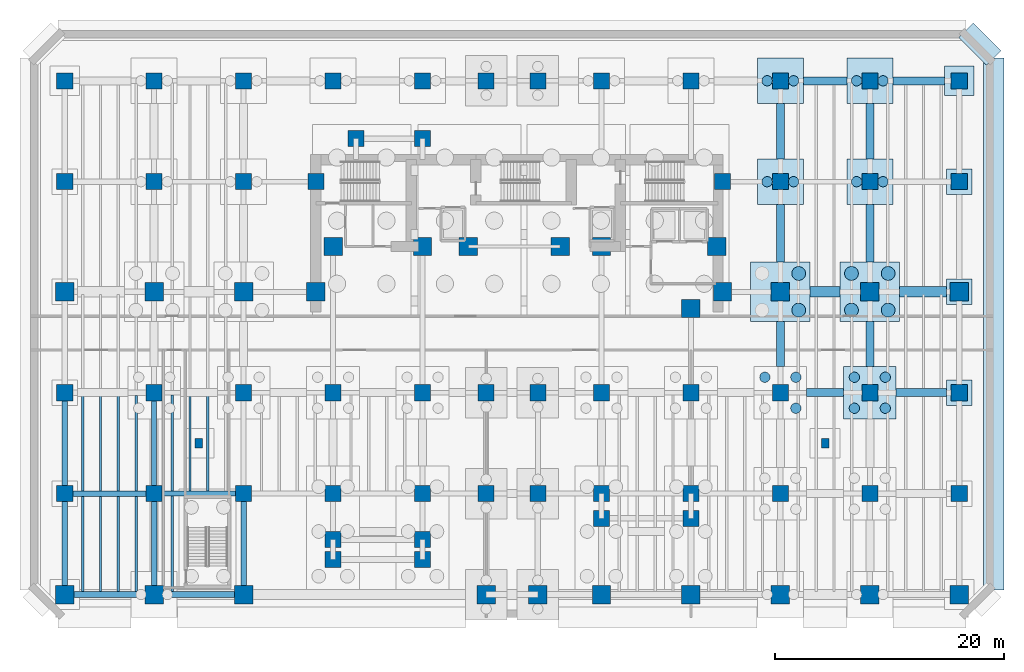
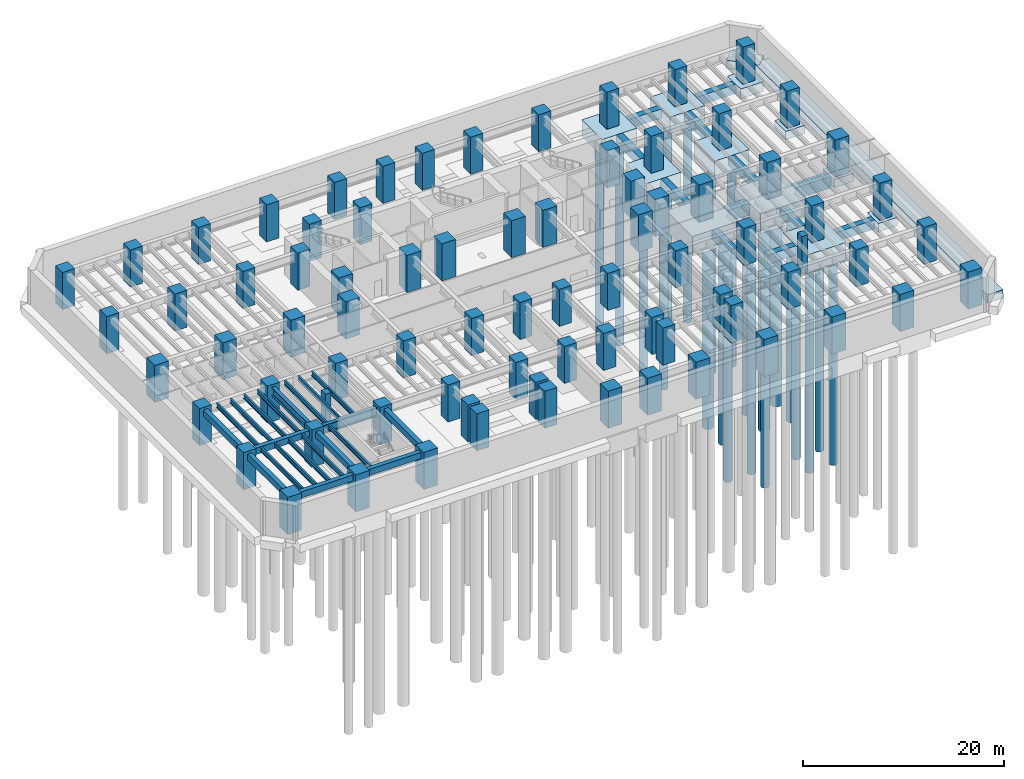
# One storey, part 3 of 13: 79 columns, 25 footings, 21 beams, 21 piles.
"""IFC4 building model written with IfcOpenShell, lengths in metres."""

from ifc_helpers import new_model, si_unit, direction, frame, origin, origin_2d, place, context, subcontext, project, spatial, rectangle, circle, i_section, extrude, material, material_profile, profile_set, type_object, element, save


model = new_model("IFC4")

# Units and contexts
model_context = context("Model", 3, precision=1e-05, world=origin(), true_north=direction((0.0, 1.0)))
body_context = subcontext(model_context, "Body", "Model", "MODEL_VIEW")
ifc_project = project(units=[si_unit("LENGTHUNIT", "METRE"), si_unit("AREAUNIT", "SQUARE_METRE"), si_unit("VOLUMEUNIT", "CUBIC_METRE"), si_unit("PLANEANGLEUNIT", "RADIAN"), si_unit("MASSUNIT", "GRAM", prefix="KILO")], contexts=[model_context])

# Site, building, storey
site_placement = place(None, origin())
site = spatial("IfcSite", under=ifc_project, at=site_placement, CompositionType="ELEMENT")
building_placement = place(site_placement, origin())
building = spatial("IfcBuilding", under=site, at=building_placement, Name="Kestravale Grand Hotel", CompositionType="ELEMENT")
storey_placement = place(building_placement, frame((0.0, 0.0, -9.0)))
storey = spatial("IfcBuildingStorey", under=building, at=storey_placement, Name="B2", CompositionType="ELEMENT", Elevation=-9.0)

# Footings
ifc_material_1 = material(Name="Concrete f'c 45 MPa", Category="concrete")
ifc_material_profile_1 = material_profile(ifc_material_1, rectangle(XDim=0.89990234375, YDim=1.39990234375, at=origin_2d()))
ifc_profile_set_1 = profile_set([ifc_material_profile_1], Name="Concrete f'c 45 MPa")
footing_type_1 = type_object("IfcFootingType", Name="FB-TIE-1", PredefinedType="FOOTING_BEAM", material=ifc_profile_set_1)
footing_1_placement = place(storey_placement, frame((65.0, 28.800048828125, -0.699951171875), z_axis=(1.0, 0.0, 0.0), x_axis=(0.0, 1.0, 0.0)))
element("IfcFooting", 1, at=footing_1_placement, inside=storey, type_object=footing_type_1, Name="Foundation tie beam E:10-11", PredefinedType="FOOTING_BEAM", context=body_context, shape_type="SweptSolid", body=[
    extrude(rectangle(XDim=0.89990234375, YDim=1.39990234375, at=origin_2d()), origin(), (0.0, 0.0, 1.0), 2.60009765625),
])
footing_2_placement = place(storey_placement, frame((72.800048828125, 28.800048828125, -0.699951171875), z_axis=(1.0, 0.0, 0.0), x_axis=(0.0, 1.0, 0.0)))
element("IfcFooting", 2, at=footing_2_placement, inside=storey, type_object=footing_type_1, Name="Foundation tie beam E:11-12", PredefinedType="FOOTING_BEAM", context=body_context, shape_type="SweptSolid", body=[
    extrude(rectangle(XDim=0.89990234375, YDim=1.39990234375, at=origin_2d()), origin(), (0.0, 0.0, 1.0), 4.099853515625),
])
ifc_material_2 = material(Name="Concrete f'c 40 MPa", Category="concrete")
ifc_material_profile_2 = material_profile(ifc_material_2, rectangle(XDim=0.699951171875, YDim=1.10009765625, at=origin_2d()))
ifc_profile_set_2 = profile_set([ifc_material_profile_2], Name="Concrete f'c 40 MPa")
footing_type_2 = type_object("IfcFootingType", Name="FB-TIE-2", PredefinedType="FOOTING_BEAM", material=ifc_profile_set_2)
footing_3_placement = place(storey_placement, frame((64.699951171875, 20.0, -0.550048828125), z_axis=(1.0, 0.0, 0.0), x_axis=(0.0, 1.0, 0.0)))
element("IfcFooting", 3, at=footing_3_placement, inside=storey, type_object=footing_type_2, Name="Foundation tie beam D:10-11", PredefinedType="FOOTING_BEAM", context=body_context, shape_type="SweptSolid", body=[
    extrude(rectangle(XDim=0.699951171875, YDim=1.10009765625, at=origin_2d()), origin(), (0.0, 0.0, 1.0), 3.199951171875),
])
footing_4_placement = place(storey_placement, frame((72.5, 20.0, -0.550048828125), z_axis=(1.0, 0.0, 0.0), x_axis=(0.0, 1.0, 0.0)))
element("IfcFooting", 4, at=footing_4_placement, inside=storey, type_object=footing_type_2, Name="Foundation tie beam D:11-12", PredefinedType="FOOTING_BEAM", context=body_context, shape_type="SweptSolid", body=[
    extrude(rectangle(XDim=0.699951171875, YDim=1.10009765625, at=origin_2d()), origin(), (0.0, 0.0, 1.0), 4.39990234375),
])
footing_5_placement = place(storey_placement, frame((64.39990234375, 47.199951171875, -0.550048828125), z_axis=(1.0, 0.0, 0.0), x_axis=(0.0, 1.0, 0.0)))
element("IfcFooting", 5, at=footing_5_placement, inside=storey, type_object=footing_type_2, Name="Foundation tie beam G:10-11", PredefinedType="FOOTING_BEAM", context=body_context, shape_type="SweptSolid", body=[
    extrude(rectangle(XDim=0.699951171875, YDim=1.10009765625, at=origin_2d()), origin(), (0.0, 0.0, 1.0), 3.800048828125),
])
footing_6_placement = place(storey_placement, frame((72.199951171875, 47.199951171875, -0.550048828125), z_axis=(1.0, 0.0, 0.0), x_axis=(0.0, 1.0, 0.0)))
element("IfcFooting", 6, at=footing_6_placement, inside=storey, type_object=footing_type_2, Name="Foundation tie beam G:11-12", PredefinedType="FOOTING_BEAM", context=body_context, shape_type="SweptSolid", body=[
    extrude(rectangle(XDim=0.699951171875, YDim=1.10009765625, at=origin_2d()), origin(), (0.0, 0.0, 1.0), 4.5),
])
footing_7_placement = place(storey_placement, frame((62.39990234375, 22.300048828125, -0.550048828125), z_axis=(0.0, 1.0, 0.0), x_axis=(-1.0, 0.0, 0.0)))
element("IfcFooting", 7, at=footing_7_placement, inside=storey, type_object=footing_type_2, Name="Foundation tie beam 10:D-E", PredefinedType="FOOTING_BEAM", context=body_context, shape_type="SweptSolid", body=[
    extrude(rectangle(XDim=0.699951171875, YDim=1.10009765625, at=origin_2d()), origin(), (0.0, 0.0, 1.0), 3.89990234375),
])
footing_8_placement = place(storey_placement, frame((62.39990234375, 31.39990234375, -0.550048828125), z_axis=(0.0, 1.0, 0.0), x_axis=(-1.0, 0.0, 0.0)))
element("IfcFooting", 8, at=footing_8_placement, inside=storey, type_object=footing_type_2, Name="Foundation tie beam 10:E-F", PredefinedType="FOOTING_BEAM", context=body_context, shape_type="SweptSolid", body=[
    extrude(rectangle(XDim=0.699951171875, YDim=1.10009765625, at=origin_2d()), origin(), (0.0, 0.0, 1.0), 5.0),
])
footing_9_placement = place(storey_placement, frame((62.39990234375, 40.39990234375, -0.550048828125), z_axis=(0.0, 1.0, 0.0), x_axis=(-1.0, 0.0, 0.0)))
element("IfcFooting", 9, at=footing_9_placement, inside=storey, type_object=footing_type_2, Name="Foundation tie beam 10:F-G", PredefinedType="FOOTING_BEAM", context=body_context, shape_type="SweptSolid", body=[
    extrude(rectangle(XDim=0.699951171875, YDim=1.10009765625, at=origin_2d()), origin(), (0.0, 0.0, 1.0), 4.800048828125),
])
footing_10_placement = place(storey_placement, frame((70.199951171875, 22.300048828125, -0.550048828125), z_axis=(0.0, 1.0, 0.0), x_axis=(-1.0, 0.0, 0.0)))
element("IfcFooting", 10, at=footing_10_placement, inside=storey, type_object=footing_type_2, Name="Foundation tie beam 11:D-E", PredefinedType="FOOTING_BEAM", context=body_context, shape_type="SweptSolid", body=[
    extrude(rectangle(XDim=0.699951171875, YDim=1.10009765625, at=origin_2d()), origin(), (0.0, 0.0, 1.0), 3.89990234375),
])
footing_11_placement = place(storey_placement, frame((70.199951171875, 31.39990234375, -0.550048828125), z_axis=(0.0, 1.0, 0.0), x_axis=(-1.0, 0.0, 0.0)))
element("IfcFooting", 11, at=footing_11_placement, inside=storey, type_object=footing_type_2, Name="Foundation tie beam 11:E-F", PredefinedType="FOOTING_BEAM", context=body_context, shape_type="SweptSolid", body=[
    extrude(rectangle(XDim=0.699951171875, YDim=1.10009765625, at=origin_2d()), origin(), (0.0, 0.0, 1.0), 5.0),
])
footing_12_placement = place(storey_placement, frame((70.199951171875, 40.39990234375, -0.550048828125), z_axis=(0.0, 1.0, 0.0), x_axis=(-1.0, 0.0, 0.0)))
element("IfcFooting", 12, at=footing_12_placement, inside=storey, type_object=footing_type_2, Name="Foundation tie beam 11:F-G", PredefinedType="FOOTING_BEAM", context=body_context, shape_type="SweptSolid", body=[
    extrude(rectangle(XDim=0.699951171875, YDim=1.10009765625, at=origin_2d()), origin(), (0.0, 0.0, 1.0), 4.800048828125),
])
ifc_material_3 = material(Name="Concrete f'c 45 MPa", Category="concrete")
footing_type_3 = type_object("IfcFootingType", Name="FC-TWR-A", PredefinedType="PILE_CAP", material=ifc_material_3)
for number, where, z_axis, x_axis, name in (
    (13, (62.39990234375, 28.800048828125, -2.39990234375), (0.0, 0.0, 1.0), (1.0, 0.0, 0.0), "Foundation FTG-10-E"),
    (14, (70.199951171875, 28.800048828125, -2.39990234375), (0.0, 0.0, 1.0), (1.0, 0.0, 0.0), "Foundation FTG-11-E"),
):
    element("IfcFooting", number, at=place(storey_placement, frame(where, z_axis=z_axis, x_axis=x_axis)), inside=storey, type_object=footing_type_3, Name=name, PredefinedType="PILE_CAP", context=body_context, shape_type="SweptSolid", body=[
        extrude(rectangle(XDim=5.199951171875, YDim=5.199951171875, at=origin_2d()), origin(), (0.0, 0.0, 1.0), 2.39990234375),
    ])
ifc_material_4 = material(Name="Concrete f'c 45 MPa", Category="concrete")
footing_type_4 = type_object("IfcFootingType", Name="FC-TWR-B", PredefinedType="PILE_CAP", material=ifc_material_4)
footing_13_placement = place(storey_placement, frame((70.199951171875, 20.0, -2.2001953125), z_axis=(0.0, 0.0, 1.0), x_axis=(1.0, 0.0, 0.0)))
element("IfcFooting", 15, at=footing_13_placement, inside=storey, type_object=footing_type_4, Name="Foundation FTG-11-D", PredefinedType="PILE_CAP", context=body_context, shape_type="SweptSolid", body=[
    extrude(rectangle(XDim=4.60009765625, YDim=4.60009765625, at=origin_2d()), origin(), (0.0, 0.0, 1.0), 2.199951171875),
])
ifc_material_5 = material(Name="Concrete f'c 40 MPa", Category="concrete")
footing_type_5 = type_object("IfcFootingType", Name="FC-TWR-C", PredefinedType="PILE_CAP", material=ifc_material_5)
for number, where, z_axis, x_axis, name in (
    (16, (62.39990234375, 38.39990234375, -2.0), (0.0, 0.0, 1.0), (1.0, 0.0, 0.0), "Foundation FTG-10-F"),
    (17, (62.39990234375, 47.199951171875, -2.0), (0.0, 0.0, 1.0), (1.0, 0.0, 0.0), "Foundation FTG-10-G"),
    (18, (70.199951171875, 38.39990234375, -2.0), (0.0, 0.0, 1.0), (1.0, 0.0, 0.0), "Foundation FTG-11-F"),
    (19, (70.199951171875, 47.199951171875, -2.0), (0.0, 0.0, 1.0), (1.0, 0.0, 0.0), "Foundation FTG-11-G"),
):
    element("IfcFooting", number, at=place(storey_placement, frame(where, z_axis=z_axis, x_axis=x_axis)), inside=storey, type_object=footing_type_5, Name=name, PredefinedType="PILE_CAP", context=body_context, shape_type="SweptSolid", body=[
        extrude(rectangle(XDim=4.0, YDim=4.0, at=origin_2d()), origin(), (0.0, 0.0, 1.0), 2.0),
    ])
ifc_material_6 = material(Name="Concrete f'c 40 MPa", Category="concrete")
footing_type_6 = type_object("IfcFootingType", Name="FD-POD-2", PredefinedType="PAD_FOOTING", material=ifc_material_6)
footing_14_placement = place(storey_placement, frame((78.0, 47.199951171875, -1.2001953125), z_axis=(0.0, 0.0, 1.0), x_axis=(1.0, 0.0, 0.0)))
element("IfcFooting", 20, at=footing_14_placement, inside=storey, type_object=footing_type_6, Name="Foundation FTG-12-G", PredefinedType="PAD_FOOTING", context=body_context, shape_type="SweptSolid", body=[
    extrude(rectangle(XDim=2.60009765625, YDim=2.60009765625, at=origin_2d()), origin(), (0.0, 0.0, 1.0), 1.199951171875),
])
ifc_material_7 = material(Name="Concrete f'c 40 MPa", Category="concrete")
footing_type_7 = type_object("IfcFootingType", Name="FD-POD-3", PredefinedType="PAD_FOOTING", material=ifc_material_7)
for number, where, z_axis, x_axis, name in (
    (21, (78.0, 20.0, -1.0), (0.0, 0.0, 1.0), (1.0, 0.0, 0.0), "Foundation FTG-12-D"),
    (22, (78.0, 28.800048828125, -1.0), (0.0, 0.0, 1.0), (1.0, 0.0, 0.0), "Foundation FTG-12-E"),
    (23, (78.0, 38.39990234375, -1.0), (0.0, 0.0, 1.0), (1.0, 0.0, 0.0), "Foundation FTG-12-F"),
):
    element("IfcFooting", number, at=place(storey_placement, frame(where, z_axis=z_axis, x_axis=x_axis)), inside=storey, type_object=footing_type_7, Name=name, PredefinedType="PAD_FOOTING", context=body_context, shape_type="SweptSolid", body=[
        extrude(rectangle(XDim=2.199951171875, YDim=2.199951171875, at=origin_2d()), origin(), (0.0, 0.0, 1.0), 1.0),
    ])
ifc_material_8 = material(Name="Concrete f'c 40 MPa", Category="concrete")
ifc_material_profile_3 = material_profile(ifc_material_8, rectangle(XDim=1.800048828125, YDim=1.0, at=origin_2d()))
ifc_profile_set_3 = profile_set([ifc_material_profile_3], Name="Concrete f'c 40 MPa")
footing_type_8 = type_object("IfcFootingType", Name="FS-RET-1", PredefinedType="STRIP_FOOTING", material=ifc_profile_set_3)
footing_15_placement = place(storey_placement, frame((81.0, 2.800048828125, -0.5), z_axis=(0.0, 1.0, 0.0), x_axis=(-1.0, 0.0, 0.0)))
element("IfcFooting", 24, at=footing_15_placement, inside=storey, type_object=footing_type_8, Name="Retaining wall strip footing 7", PredefinedType="STRIP_FOOTING", context=body_context, shape_type="SweptSolid", body=[
    extrude(rectangle(XDim=1.800048828125, YDim=1.0, at=origin_2d()), origin(), (0.0, 0.0, 1.0), 46.39990234375),
])
footing_16_placement = place(storey_placement, frame((81.0, 49.199951171875, -0.5), z_axis=(-0.707070815327, 0.707142745217, 0.0), x_axis=(-0.707142745217, -0.707070815327, 0.0)))
element("IfcFooting", 25, at=footing_16_placement, inside=storey, type_object=footing_type_8, Name="Retaining wall strip footing 8", PredefinedType="STRIP_FOOTING", context=body_context, shape_type="SweptSolid", body=[
    extrude(rectangle(XDim=1.800048828125, YDim=1.0, at=origin_2d()), origin(), (0.0, 0.0, 1.0), 3.39404296875),
])

# Piles
ifc_material_9 = material(Name="Concrete f'c 45 MPa", Category="concrete")
ifc_material_profile_4 = material_profile(ifc_material_9, circle(Radius=0.60009765625, at=origin_2d()))
ifc_profile_set_4 = profile_set([ifc_material_profile_4], Name="Concrete f'c 45 MPa")
pile_type_1 = type_object("IfcPileType", Name="PILE-1200", PredefinedType="BORED", material=ifc_profile_set_4)
for number, where, z_axis, x_axis, name in (
    (26, (64.0, 27.199951171875, -2.25), (0.0, 0.0, -1.0), (1.0, 0.0, 0.0), "Bored pile 10-E-2"),
    (27, (64.0, 30.39990234375, -2.25), (0.0, 0.0, -1.0), (1.0, 0.0, 0.0), "Bored pile 10-E-4"),
    (28, (68.60009765625, 27.199951171875, -2.25), (0.0, 0.0, -1.0), (1.0, 0.0, 0.0), "Bored pile 11-E-1"),
    (29, (71.800048828125, 27.199951171875, -2.25), (0.0, 0.0, -1.0), (1.0, 0.0, 0.0), "Bored pile 11-E-2"),
    (30, (68.60009765625, 30.39990234375, -2.25), (0.0, 0.0, -1.0), (1.0, 0.0, 0.0), "Bored pile 11-E-3"),
    (31, (71.800048828125, 30.39990234375, -2.25), (0.0, 0.0, -1.0), (1.0, 0.0, 0.0), "Bored pile 11-E-4"),
):
    element("IfcPile", number, at=place(storey_placement, frame(where, z_axis=z_axis, x_axis=x_axis)), inside=storey, type_object=pile_type_1, Name=name, PredefinedType="BORED", context=body_context, shape_type="SweptSolid", body=[
        extrude(circle(Radius=0.60009765625, at=origin_2d()), origin(), (0.0, 0.0, 1.0), 24.75),
    ])
ifc_material_10 = material(Name="Concrete f'c 40 MPa", Category="concrete")
ifc_material_profile_5 = material_profile(ifc_material_10, circle(Radius=0.449951171875, at=origin_2d()))
ifc_profile_set_5 = profile_set([ifc_material_profile_5], Name="Concrete f'c 40 MPa")
pile_type_2 = type_object("IfcPileType", Name="PILE-900", PredefinedType="BORED", material=ifc_profile_set_5)
for number, where, z_axis, x_axis, name in (
    (32, (63.75, 18.64990234375, -2.050048828125), (0.0, 0.0, -1.0), (1.0, 0.0, 0.0), "Bored pile 10-D-2"),
    (33, (61.050048828125, 21.35009765625, -2.050048828125), (0.0, 0.0, -1.0), (1.0, 0.0, 0.0), "Bored pile 10-D-3"),
    (34, (63.75, 21.35009765625, -2.050048828125), (0.0, 0.0, -1.0), (1.0, 0.0, 0.0), "Bored pile 10-D-4"),
):
    element("IfcPile", number, at=place(storey_placement, frame(where, z_axis=z_axis, x_axis=x_axis)), inside=storey, type_object=pile_type_2, Name=name, PredefinedType="BORED", context=body_context, shape_type="SweptSolid", body=[
        extrude(circle(Radius=0.449951171875, at=origin_2d()), origin(), (0.0, 0.0, 1.0), 24.949951171875),
    ])
for number, where, z_axis, x_axis, name in (
    (35, (61.25, 38.39990234375, -1.85009765625), (0.0, 0.0, -1.0), (1.0, 0.0, 0.0), "Bored pile 10-F-1"),
    (36, (63.550048828125, 38.39990234375, -1.85009765625), (0.0, 0.0, -1.0), (1.0, 0.0, 0.0), "Bored pile 10-F-2"),
    (37, (61.25, 47.199951171875, -1.85009765625), (0.0, 0.0, -1.0), (1.0, 0.0, 0.0), "Bored pile 10-G-1"),
    (38, (63.550048828125, 47.199951171875, -1.85009765625), (0.0, 0.0, -1.0), (1.0, 0.0, 0.0), "Bored pile 10-G-2"),
):
    element("IfcPile", number, at=place(storey_placement, frame(where, z_axis=z_axis, x_axis=x_axis)), inside=storey, type_object=pile_type_2, Name=name, PredefinedType="BORED", context=body_context, shape_type="SweptSolid", body=[
        extrude(circle(Radius=0.449951171875, at=origin_2d()), origin(), (0.0, 0.0, 1.0), 25.14990234375),
    ])
for number, where, z_axis, x_axis, name in (
    (39, (68.85009765625, 18.64990234375, -2.050048828125), (0.0, 0.0, -1.0), (1.0, 0.0, 0.0), "Bored pile 11-D-1"),
    (40, (71.550048828125, 18.64990234375, -2.050048828125), (0.0, 0.0, -1.0), (1.0, 0.0, 0.0), "Bored pile 11-D-2"),
    (41, (68.85009765625, 21.35009765625, -2.050048828125), (0.0, 0.0, -1.0), (1.0, 0.0, 0.0), "Bored pile 11-D-3"),
    (42, (71.550048828125, 21.35009765625, -2.050048828125), (0.0, 0.0, -1.0), (1.0, 0.0, 0.0), "Bored pile 11-D-4"),
):
    element("IfcPile", number, at=place(storey_placement, frame(where, z_axis=z_axis, x_axis=x_axis)), inside=storey, type_object=pile_type_2, Name=name, PredefinedType="BORED", context=body_context, shape_type="SweptSolid", body=[
        extrude(circle(Radius=0.449951171875, at=origin_2d()), origin(), (0.0, 0.0, 1.0), 24.949951171875),
    ])
for number, where, z_axis, x_axis, name in (
    (43, (69.050048828125, 38.39990234375, -1.85009765625), (0.0, 0.0, -1.0), (1.0, 0.0, 0.0), "Bored pile 11-F-1"),
    (44, (71.35009765625, 38.39990234375, -1.85009765625), (0.0, 0.0, -1.0), (1.0, 0.0, 0.0), "Bored pile 11-F-2"),
    (45, (69.050048828125, 47.199951171875, -1.85009765625), (0.0, 0.0, -1.0), (1.0, 0.0, 0.0), "Bored pile 11-G-1"),
    (46, (71.35009765625, 47.199951171875, -1.85009765625), (0.0, 0.0, -1.0), (1.0, 0.0, 0.0), "Bored pile 11-G-2"),
):
    element("IfcPile", number, at=place(storey_placement, frame(where, z_axis=z_axis, x_axis=x_axis)), inside=storey, type_object=pile_type_2, Name=name, PredefinedType="BORED", context=body_context, shape_type="SweptSolid", body=[
        extrude(circle(Radius=0.449951171875, at=origin_2d()), origin(), (0.0, 0.0, 1.0), 25.14990234375),
    ])

# Columns
ifc_material_11 = material(Name="Concrete f'c 70 MPa", Category="concrete")
ifc_material_profile_6 = material_profile(ifc_material_11, rectangle(XDim=1.39990234375, YDim=1.39990234375, at=origin_2d()))
ifc_profile_set_6 = profile_set([ifc_material_profile_6], Name="Concrete f'c 70 MPa")
column_type_1 = type_object("IfcColumnType", Name="C-Z1-1400", PredefinedType="COLUMN", material=ifc_profile_set_6)
for number, where, z_axis, x_axis, name in (
    (47, (0.0, 11.199951171875, 0.0), (0.0, 0.0, 1.0), (1.0, 0.0, 0.0), "B2 column 1-C"),
    (48, (0.0, 20.0, 0.0), (0.0, 0.0, 1.0), (1.0, 0.0, 0.0), "B2 column 1-D"),
    (49, (0.0, 38.39990234375, 0.0), (0.0, 0.0, 1.0), (1.0, 0.0, 0.0), "B2 column 1-F"),
    (50, (0.0, 47.199951171875, 0.0), (0.0, 0.0, 1.0), (1.0, 0.0, 0.0), "B2 column 1-G"),
    (51, (7.800048828125, 11.199951171875, 0.0), (0.0, 0.0, 1.0), (1.0, 0.0, 0.0), "B2 column 2-C"),
    (52, (7.800048828125, 20.0, 0.0), (0.0, 0.0, 1.0), (1.0, 0.0, 0.0), "B2 column 2-D"),
    (53, (7.800048828125, 38.39990234375, 0.0), (0.0, 0.0, 1.0), (1.0, 0.0, 0.0), "B2 column 2-F"),
    (54, (7.800048828125, 47.199951171875, 0.0), (0.0, 0.0, 1.0), (1.0, 0.0, 0.0), "B2 column 2-G"),
    (55, (15.60009765625, 11.199951171875, 0.0), (0.0, 0.0, 1.0), (1.0, 0.0, 0.0), "B2 column 3-C"),
    (56, (15.60009765625, 20.0, 0.0), (0.0, 0.0, 1.0), (1.0, 0.0, 0.0), "B2 column 3-D"),
    (57, (15.60009765625, 38.39990234375, 0.0), (0.0, 0.0, 1.0), (1.0, 0.0, 0.0), "B2 column 3-F"),
    (58, (15.60009765625, 47.199951171875, 0.0), (0.0, 0.0, 1.0), (1.0, 0.0, 0.0), "B2 column 3-G"),
    (59, (23.39990234375, 11.199951171875, 0.0), (0.0, 0.0, 1.0), (1.0, 0.0, 0.0), "B2 column 4-C"),
    (60, (23.39990234375, 20.0, 0.0), (0.0, 0.0, 1.0), (1.0, 0.0, 0.0), "B2 column 4-D"),
    (61, (23.39990234375, 47.199951171875, 0.0), (0.0, 0.0, 1.0), (1.0, 0.0, 0.0), "B2 column 4-G"),
    (62, (31.199951171875, 11.199951171875, 0.0), (0.0, 0.0, 1.0), (1.0, 0.0, 0.0), "B2 column 5-C"),
    (63, (31.199951171875, 20.0, 0.0), (0.0, 0.0, 1.0), (1.0, 0.0, 0.0), "B2 column 5-D"),
    (64, (31.199951171875, 47.199951171875, 0.0), (0.0, 0.0, 1.0), (1.0, 0.0, 0.0), "B2 column 5-G"),
    (65, (36.75, 11.199951171875, 0.0), (0.0, 0.0, 1.0), (1.0, 0.0, 0.0), "B2 column 6-C"),
    (66, (36.75, 20.0, 0.0), (0.0, 0.0, 1.0), (1.0, 0.0, 0.0), "B2 column 6-D"),
    (67, (36.75, 47.199951171875, 0.0), (0.0, 0.0, 1.0), (1.0, 0.0, 0.0), "B2 column 6-G"),
    (68, (41.25, 11.199951171875, 0.0), (0.0, 0.0, 1.0), (1.0, 0.0, 0.0), "B2 column 7-C"),
    (69, (41.25, 20.0, 0.0), (0.0, 0.0, 1.0), (1.0, 0.0, 0.0), "B2 column 7-D"),
    (70, (41.25, 47.199951171875, 0.0), (0.0, 0.0, 1.0), (1.0, 0.0, 0.0), "B2 column 7-G"),
    (71, (46.800048828125, 11.199951171875, 0.0), (0.0, 0.0, 1.0), (1.0, 0.0, 0.0), "B2 column 8-C"),
    (72, (46.800048828125, 20.0, 0.0), (0.0, 0.0, 1.0), (1.0, 0.0, 0.0), "B2 column 8-D"),
    (73, (46.800048828125, 47.199951171875, 0.0), (0.0, 0.0, 1.0), (1.0, 0.0, 0.0), "B2 column 8-G"),
    (74, (54.60009765625, 11.199951171875, 0.0), (0.0, 0.0, 1.0), (1.0, 0.0, 0.0), "B2 column 9-C"),
    (75, (54.60009765625, 20.0, 0.0), (0.0, 0.0, 1.0), (1.0, 0.0, 0.0), "B2 column 9-D"),
    (76, (54.60009765625, 47.199951171875, 0.0), (0.0, 0.0, 1.0), (1.0, 0.0, 0.0), "B2 column 9-G"),
    (77, (62.39990234375, 11.199951171875, 0.0), (0.0, 0.0, 1.0), (1.0, 0.0, 0.0), "B2 column 10-C"),
    (78, (62.39990234375, 20.0, 0.0), (0.0, 0.0, 1.0), (1.0, 0.0, 0.0), "B2 column 10-D"),
    (79, (62.39990234375, 38.39990234375, 0.0), (0.0, 0.0, 1.0), (1.0, 0.0, 0.0), "B2 column 10-F"),
    (80, (62.39990234375, 47.199951171875, 0.0), (0.0, 0.0, 1.0), (1.0, 0.0, 0.0), "B2 column 10-G"),
    (81, (70.199951171875, 11.199951171875, 0.0), (0.0, 0.0, 1.0), (1.0, 0.0, 0.0), "B2 column 11-C"),
    (82, (70.199951171875, 20.0, 0.0), (0.0, 0.0, 1.0), (1.0, 0.0, 0.0), "B2 column 11-D"),
    (83, (70.199951171875, 38.39990234375, 0.0), (0.0, 0.0, 1.0), (1.0, 0.0, 0.0), "B2 column 11-F"),
    (84, (70.199951171875, 47.199951171875, 0.0), (0.0, 0.0, 1.0), (1.0, 0.0, 0.0), "B2 column 11-G"),
    (85, (78.0, 11.199951171875, 0.0), (0.0, 0.0, 1.0), (1.0, 0.0, 0.0), "B2 column 12-C"),
    (86, (78.0, 20.0, 0.0), (0.0, 0.0, 1.0), (1.0, 0.0, 0.0), "B2 column 12-D"),
    (87, (78.0, 38.39990234375, 0.0), (0.0, 0.0, 1.0), (1.0, 0.0, 0.0), "B2 column 12-F"),
    (88, (78.0, 47.199951171875, 0.0), (0.0, 0.0, 1.0), (1.0, 0.0, 0.0), "B2 column 12-G"),
    (89, (21.89990234375, 38.39990234375, 0.0), (0.0, 0.0, 1.0), (1.0, 0.0, 0.0), "B2 column CW-F"),
    (90, (57.35009765625, 38.39990234375, 0.0), (0.0, 0.0, 1.0), (1.0, 0.0, 0.0), "B2 column CE-F"),
    (91, (23.39990234375, 7.199951171875, 0.0), (0.0, 0.0, 1.0), (1.0, 0.0, 0.0), "B2 column 4-BS"),
    (92, (31.199951171875, 7.199951171875, 0.0), (0.0, 0.0, 1.0), (1.0, 0.0, 0.0), "B2 column 5-BS"),
    (93, (25.39990234375, 42.14990234375, 0.0), (0.0, 0.0, 1.0), (1.0, 0.0, 0.0), "B2 column 4-FN"),
    (94, (31.199951171875, 42.14990234375, 0.0), (0.0, 0.0, 1.0), (1.0, 0.0, 0.0), "B2 column 5-FN"),
    (95, (23.39990234375, 5.449951171875, 0.0), (0.0, 0.0, 1.0), (1.0, 0.0, 0.0), "B2 column 4-B1S"),
    (96, (31.199951171875, 5.449951171875, 0.0), (0.0, 0.0, 1.0), (1.0, 0.0, 0.0), "B2 column 5-B1S"),
    (97, (46.800048828125, 9.050048828125, 0.0), (0.0, 0.0, 1.0), (1.0, 0.0, 0.0), "B2 column 8-B1E"),
    (98, (54.60009765625, 9.050048828125, 0.0), (0.0, 0.0, 1.0), (1.0, 0.0, 0.0), "B2 column 9-B1E"),
):
    element("IfcColumn", number, at=place(storey_placement, frame(where, z_axis=z_axis, x_axis=x_axis)), inside=storey, type_object=column_type_1, Name=name, PredefinedType="COLUMN", context=body_context, shape_type="SweptSolid", body=[
        extrude(rectangle(XDim=1.39990234375, YDim=1.39990234375, at=origin_2d()), origin(), (0.0, 0.0, 1.0), 4.5),
    ])
ifc_material_12 = material(Name="Concrete f'c 70 MPa", Category="concrete")
ifc_material_profile_7 = material_profile(ifc_material_12, rectangle(XDim=1.60009765625, YDim=1.60009765625, at=origin_2d()))
ifc_profile_set_7 = profile_set([ifc_material_profile_7], Name="Concrete f'c 70 MPa")
column_type_2 = type_object("IfcColumnType", Name="C-Z1-1600", PredefinedType="COLUMN", material=ifc_profile_set_7)
for number, where, z_axis, x_axis, name in (
    (99, (0.0, 2.39990234375, 0.0), (0.0, 0.0, 1.0), (1.0, 0.0, 0.0), "B2 column 1-B"),
    (100, (0.0, 28.800048828125, 0.0), (0.0, 0.0, 1.0), (1.0, 0.0, 0.0), "B2 column 1-E"),
    (101, (7.800048828125, 2.39990234375, 0.0), (0.0, 0.0, 1.0), (1.0, 0.0, 0.0), "B2 column 2-B"),
    (102, (7.800048828125, 28.800048828125, 0.0), (0.0, 0.0, 1.0), (1.0, 0.0, 0.0), "B2 column 2-E"),
    (103, (15.60009765625, 2.39990234375, 0.0), (0.0, 0.0, 1.0), (1.0, 0.0, 0.0), "B2 column 3-B"),
    (104, (15.60009765625, 28.800048828125, 0.0), (0.0, 0.0, 1.0), (1.0, 0.0, 0.0), "B2 column 3-E"),
    (105, (36.75, 2.39990234375, 0.0), (0.0, 0.0, 1.0), (1.0, 0.0, 0.0), "B2 column 6-B"),
    (106, (41.25, 2.39990234375, 0.0), (0.0, 0.0, 1.0), (1.0, 0.0, 0.0), "B2 column 7-B"),
    (107, (46.800048828125, 2.39990234375, 0.0), (0.0, 0.0, 1.0), (1.0, 0.0, 0.0), "B2 column 8-B"),
    (108, (54.60009765625, 2.39990234375, 0.0), (0.0, 0.0, 1.0), (1.0, 0.0, 0.0), "B2 column 9-B"),
    (109, (62.39990234375, 2.39990234375, 0.0), (0.0, 0.0, 1.0), (1.0, 0.0, 0.0), "B2 column 10-B"),
    (110, (62.39990234375, 28.800048828125, 0.0), (0.0, 0.0, 1.0), (1.0, 0.0, 0.0), "B2 column 10-E"),
    (111, (70.199951171875, 2.39990234375, 0.0), (0.0, 0.0, 1.0), (1.0, 0.0, 0.0), "B2 column 11-B"),
    (112, (70.199951171875, 28.800048828125, 0.0), (0.0, 0.0, 1.0), (1.0, 0.0, 0.0), "B2 column 11-E"),
    (113, (78.0, 2.39990234375, 0.0), (0.0, 0.0, 1.0), (1.0, 0.0, 0.0), "B2 column 12-B"),
    (114, (78.0, 28.800048828125, 0.0), (0.0, 0.0, 1.0), (1.0, 0.0, 0.0), "B2 column 12-E"),
    (115, (21.89990234375, 28.800048828125, 0.0), (0.0, 0.0, 1.0), (1.0, 0.0, 0.0), "B2 column CW-E"),
    (116, (57.35009765625, 28.800048828125, 0.0), (0.0, 0.0, 1.0), (1.0, 0.0, 0.0), "B2 column CE-E"),
    (117, (23.39990234375, 32.75, 0.0), (0.0, 0.0, 1.0), (1.0, 0.0, 0.0), "B2 column 4-CS"),
    (118, (31.199951171875, 32.75, 0.0), (0.0, 0.0, 1.0), (1.0, 0.0, 0.0), "B2 column 5-CS"),
    (119, (35.199951171875, 32.75, 0.0), (0.0, 0.0, 1.0), (1.0, 0.0, 0.0), "B2 column 6C-CS"),
    (120, (43.199951171875, 32.75, 0.0), (0.0, 0.0, 1.0), (1.0, 0.0, 0.0), "B2 column 7C-CS"),
    (121, (46.800048828125, 32.75, 0.0), (0.0, 0.0, 1.0), (1.0, 0.0, 0.0), "B2 column 8-CS"),
    (122, (54.60009765625, 27.35009765625, 0.0), (0.0, 0.0, 1.0), (1.0, 0.0, 0.0), "B2 column 9-CS"),
    (123, (56.85009765625, 32.75, 0.0), (0.0, 0.0, 1.0), (1.0, 0.0, 0.0), "B2 column 9C-CS"),
):
    element("IfcColumn", number, at=place(storey_placement, frame(where, z_axis=z_axis, x_axis=x_axis)), inside=storey, type_object=column_type_2, Name=name, PredefinedType="COLUMN", context=body_context, shape_type="SweptSolid", body=[
        extrude(rectangle(XDim=1.60009765625, YDim=1.60009765625, at=origin_2d()), origin(), (0.0, 0.0, 1.0), 4.5),
    ])
ifc_material_13 = material(Name="Precast concrete f'c 45 MPa", Category="concrete")
ifc_material_profile_8 = material_profile(ifc_material_13, rectangle(XDim=0.64990234375, YDim=0.85009765625, at=origin_2d()))
ifc_profile_set_8 = profile_set([ifc_material_profile_8], Name="Precast concrete f'c 45 MPa")
column_type_3 = type_object("IfcColumnType", Name="C-Z1-PIL850", PredefinedType="PILASTER", material=ifc_profile_set_8)
for number, where, z_axis, x_axis, name in (
    (124, (11.699951171875, 15.60009765625, 0.0), (0.0, 0.0, 1.0), (1.0, 0.0, 0.0), "B2 Art Deco fluted pilaster P1"),
    (125, (66.300048828125, 15.60009765625, 0.0), (0.0, 0.0, 1.0), (1.0, 0.0, 0.0), "B2 Art Deco fluted pilaster P2"),
):
    element("IfcColumn", number, at=place(storey_placement, frame(where, z_axis=z_axis, x_axis=x_axis)), inside=storey, type_object=column_type_3, Name=name, PredefinedType="PILASTER", context=body_context, shape_type="SweptSolid", body=[
        extrude(rectangle(XDim=0.64990234375, YDim=0.85009765625, at=origin_2d()), origin(), (0.0, 0.0, 1.0), 4.5),
    ])

# Beams
ifc_material_14 = material(Name="Steel ASTM A992 Grade 50", Category="steel")
ifc_material_profile_9 = material_profile(ifc_material_14, i_section(OverallWidth=0.2099609375, OverallDepth=0.535888671875, WebThickness=0.010986328125, FlangeThickness=0.017333984375, FilletRadius=0.017578125, at=origin_2d()))
ifc_profile_set_9 = profile_set([ifc_material_profile_9], Name="Steel ASTM A992 Grade 50")
beam_type_1 = type_object("IfcBeamType", Name="B-FLR-JST21", PredefinedType="JOIST", material=ifc_profile_set_9)
for number, where, z_axis, x_axis, name in (
    (126, (1.56005859375, 2.64990234375, 3.912109375), (0.0, 1.0, 0.0), (-1.0, 0.0, 0.0), "B2 floor joist 1-2/B-C #1"),
    (127, (3.1201171875, 2.64990234375, 3.912109375), (0.0, 1.0, 0.0), (-1.0, 0.0, 0.0), "B2 floor joist 1-2/B-C #2"),
    (128, (4.679931640625, 2.64990234375, 3.912109375), (0.0, 1.0, 0.0), (-1.0, 0.0, 0.0), "B2 floor joist 1-2/B-C #3"),
    (129, (6.239990234375, 2.64990234375, 3.912109375), (0.0, 1.0, 0.0), (-1.0, 0.0, 0.0), "B2 floor joist 1-2/B-C #4"),
    (130, (1.56005859375, 11.449951171875, 3.912109375), (0.0, 1.0, 0.0), (-1.0, 0.0, 0.0), "B2 floor joist 1-2/C-D #1"),
    (131, (3.1201171875, 11.449951171875, 3.912109375), (0.0, 1.0, 0.0), (-1.0, 0.0, 0.0), "B2 floor joist 1-2/C-D #2"),
    (132, (4.679931640625, 11.449951171875, 3.912109375), (0.0, 1.0, 0.0), (-1.0, 0.0, 0.0), "B2 floor joist 1-2/C-D #3"),
    (133, (6.239990234375, 11.449951171875, 3.912109375), (0.0, 1.0, 0.0), (-1.0, 0.0, 0.0), "B2 floor joist 1-2/C-D #4"),
):
    element("IfcBeam", number, at=place(storey_placement, frame(where, z_axis=z_axis, x_axis=x_axis)), inside=storey, type_object=beam_type_1, Name=name, PredefinedType="JOIST", context=body_context, shape_type="SweptSolid", body=[
        extrude(i_section(OverallWidth=0.2099609375, OverallDepth=0.535888671875, WebThickness=0.010986328125, FlangeThickness=0.017333984375, FilletRadius=0.017578125, at=origin_2d()), origin(), (0.0, 0.0, 1.0), 8.300048828125),
    ])
beam_1_placement = place(storey_placement, frame((9.360107421875, 2.64990234375, 3.912109375), z_axis=(0.0, 1.0, 0.0), x_axis=(-1.0, 0.0, 0.0)))
element("IfcBeam", 134, at=beam_1_placement, inside=storey, type_object=beam_type_1, Name="B2 floor joist 2-3/B-C #1", PredefinedType="JOIST", context=body_context, shape_type="SweptSolid", body=[
    extrude(i_section(OverallWidth=0.2099609375, OverallDepth=0.535888671875, WebThickness=0.010986328125, FlangeThickness=0.017333984375, FilletRadius=0.017578125, at=origin_2d()), origin(), (0.0, 0.0, 1.0), 8.336669921875),
])
for number, where, z_axis, x_axis, name in (
    (135, (9.360107421875, 11.41357421875, 3.912109375), (0.0, 1.0, 0.0), (-1.0, 0.0, 0.0), "B2 floor joist 2-3/C-D #1"),
    (136, (10.919921875, 11.41357421875, 3.912109375), (0.0, 1.0, 0.0), (-1.0, 0.0, 0.0), "B2 floor joist 2-3/C-D #2"),
    (137, (12.47998046875, 11.41357421875, 3.912109375), (0.0, 1.0, 0.0), (-1.0, 0.0, 0.0), "B2 floor joist 2-3/C-D #3"),
):
    element("IfcBeam", number, at=place(storey_placement, frame(where, z_axis=z_axis, x_axis=x_axis)), inside=storey, type_object=beam_type_1, Name=name, PredefinedType="JOIST", context=body_context, shape_type="SweptSolid", body=[
        extrude(i_section(OverallWidth=0.2099609375, OverallDepth=0.535888671875, WebThickness=0.010986328125, FlangeThickness=0.017333984375, FilletRadius=0.017578125, at=origin_2d()), origin(), (0.0, 0.0, 1.0), 8.373046875),
    ])
ifc_material_15 = material(Name="Concrete f'c 45 MPa", Category="concrete")
ifc_material_profile_10 = material_profile(ifc_material_15, rectangle(XDim=0.5, YDim=0.75, at=origin_2d()))
ifc_profile_set_10 = profile_set([ifc_material_profile_10], Name="Concrete f'c 45 MPa")
beam_type_2 = type_object("IfcBeamType", Name="B-FLR-RC750", PredefinedType="SPANDREL", material=ifc_profile_set_10)
for number, where, z_axis, x_axis, name in (
    (138, (0.0, 2.39990234375, 3.804931640625), (1.0, 0.0, 0.0), (0.0, 1.0, 0.0), "B2 spandrel B:1-2"),
    (139, (7.800048828125, 2.39990234375, 3.804931640625), (1.0, 0.0, 0.0), (0.0, 1.0, 0.0), "B2 spandrel B:2-3"),
    (140, (0.0, 11.199951171875, 3.804931640625), (1.0, 0.0, 0.0), (0.0, 1.0, 0.0), "B2 spandrel C:1-2"),
):
    element("IfcBeam", number, at=place(storey_placement, frame(where, z_axis=z_axis, x_axis=x_axis)), inside=storey, type_object=beam_type_2, Name=name, PredefinedType="SPANDREL", context=body_context, shape_type="SweptSolid", body=[
        extrude(rectangle(XDim=0.5, YDim=0.75, at=origin_2d()), origin(), (0.0, 0.0, 1.0), 7.800048828125),
    ])
for number, where, z_axis, x_axis, name in (
    (141, (0.0, 2.39990234375, 3.804931640625), (0.0, 1.0, 0.0), (-1.0, 0.0, 0.0), "B2 spandrel 1:B-C"),
    (142, (0.0, 11.199951171875, 3.804931640625), (0.0, 1.0, 0.0), (-1.0, 0.0, 0.0), "B2 spandrel 1:C-D"),
    (143, (7.800048828125, 2.39990234375, 3.804931640625), (0.0, 1.0, 0.0), (-1.0, 0.0, 0.0), "B2 spandrel 2:B-C"),
    (144, (15.60009765625, 2.39990234375, 3.804931640625), (0.0, 1.0, 0.0), (-1.0, 0.0, 0.0), "B2 spandrel 3:B-C"),
):
    element("IfcBeam", number, at=place(storey_placement, frame(where, z_axis=z_axis, x_axis=x_axis)), inside=storey, type_object=beam_type_2, Name=name, PredefinedType="SPANDREL", context=body_context, shape_type="SweptSolid", body=[
        extrude(rectangle(XDim=0.5, YDim=0.75, at=origin_2d()), origin(), (0.0, 0.0, 1.0), 8.800048828125),
    ])
ifc_material_16 = material(Name="Steel ASTM A992 Grade 50", Category="steel")
ifc_material_profile_11 = material_profile(ifc_material_16, i_section(OverallWidth=0.427001953125, OverallDepth=1.0400390625, WebThickness=0.031005859375, FlangeThickness=0.055908203125, FilletRadius=0.028076171875, at=origin_2d()))
ifc_profile_set_11 = profile_set([ifc_material_profile_11], Name="Steel ASTM A992 Grade 50")
beam_type_3 = type_object("IfcBeamType", Name="B-GRD-W40", PredefinedType="BEAM", material=ifc_profile_set_11)
beam_2_placement = place(storey_placement, frame((7.800048828125, 11.199951171875, 3.659912109375), z_axis=(1.0, 0.0, 0.0), x_axis=(0.0, 1.0, 0.0)))
element("IfcBeam", 145, at=beam_2_placement, inside=storey, type_object=beam_type_3, Name="B2 girder C:2-3", PredefinedType="BEAM", context=body_context, shape_type="SweptSolid", body=[
    extrude(i_section(OverallWidth=0.427001953125, OverallDepth=1.0400390625, WebThickness=0.031005859375, FlangeThickness=0.055908203125, FilletRadius=0.028076171875, at=origin_2d()), origin(), (0.0, 0.0, 1.0), 7.800048828125),
])
beam_3_placement = place(storey_placement, frame((7.800048828125, 11.199951171875, 3.659912109375), z_axis=(0.0, 1.0, 0.0), x_axis=(-1.0, 0.0, 0.0)))
element("IfcBeam", 146, at=beam_3_placement, inside=storey, type_object=beam_type_3, Name="B2 girder 2:C-D", PredefinedType="BEAM", context=body_context, shape_type="SweptSolid", body=[
    extrude(i_section(OverallWidth=0.427001953125, OverallDepth=1.0400390625, WebThickness=0.031005859375, FlangeThickness=0.055908203125, FilletRadius=0.028076171875, at=origin_2d()), origin(), (0.0, 0.0, 1.0), 8.800048828125),
])

save(model, "model.ifc")
